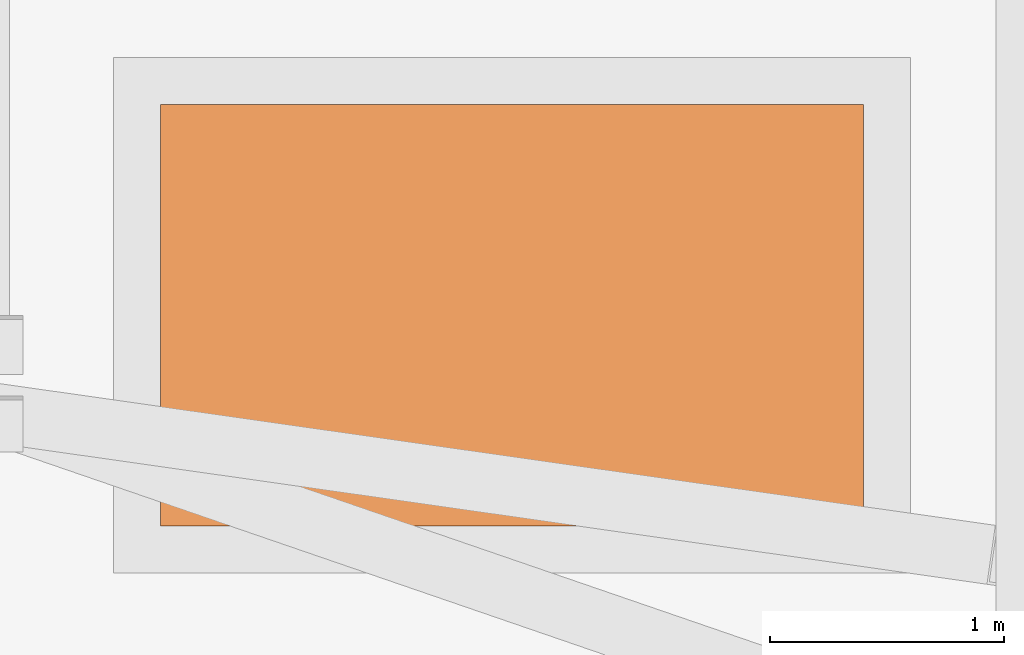
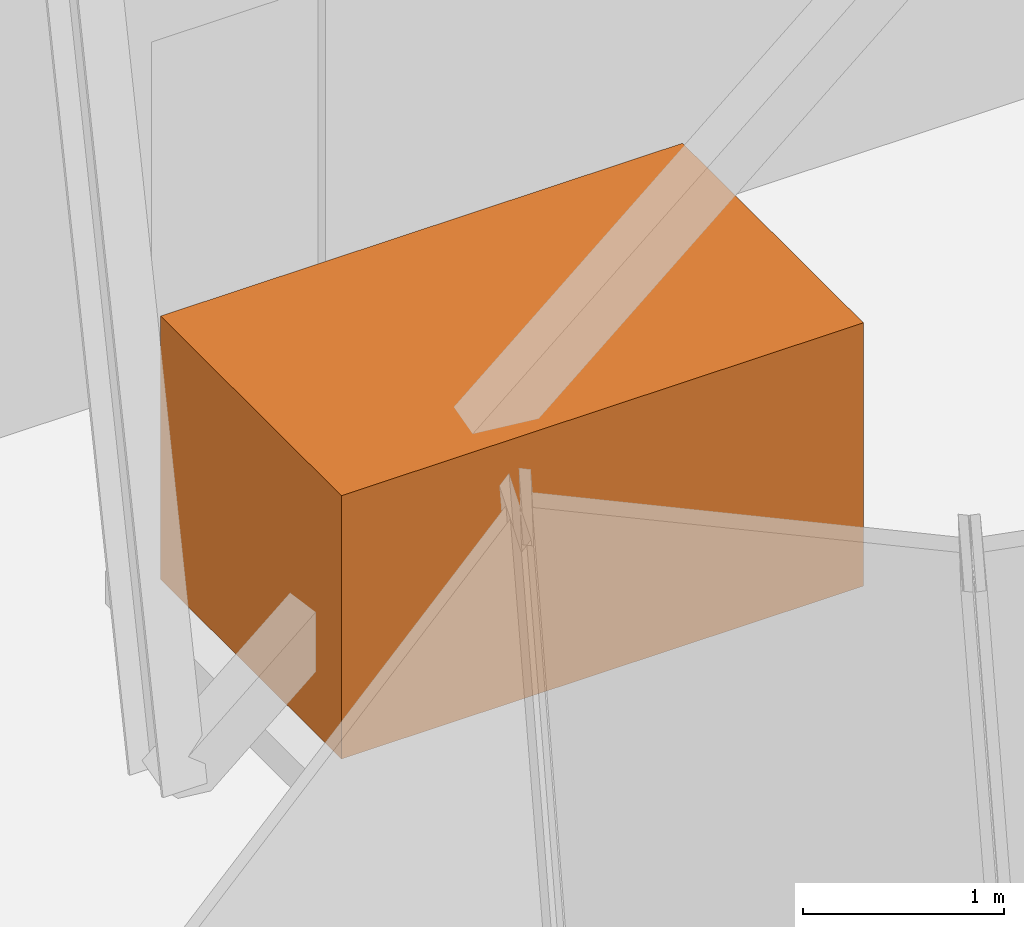
# One storey, part 6 of 6: 1 proxy.
"""IFC4 building model written with IfcOpenShell, lengths in metres."""

import ifcopenshell
import ifcopenshell.guid

model = None  # the IFC model being written
_history = None  # IfcOwnerHistory: only IFC2X3 demands one
_inside = {}  # id of a spatial element -> (the spatial element, [elements in it])
_under = {}  # id of a project, library or spatial element -> (it, [spatial elements below it])
_declared = {}  # id of a project -> (the project, [libraries it declares])
_typed = {}  # id of a type object -> (the type object, [elements of that type])
_made_of = {}  # id of a material, layer set ... -> (it, [elements and type objects made of it])


def new_model(schema):
    """Start an empty IFC model of exactly this schema.

    Asked for "IFC4X3", IfcOpenShell would pick the latest addendum, in which some entities
    have other attributes; the version numbers below select the first issue.
    IFC2X3 requires an IfcOwnerHistory on every rooted entity: one is made here for all.
    """
    global model, _history
    if schema == "IFC4X3":
        model = ifcopenshell.file(schema_version=(4, 3, 0, 0))
    else:
        model = ifcopenshell.file(schema=schema)
    _inside.clear()
    _under.clear()
    _declared.clear()
    _typed.clear()
    _made_of.clear()
    _history = None
    if model.schema == "IFC2X3":
        org = make("IfcOrganization", Name="unknown")
        user = make(
            "IfcPersonAndOrganization",
            ThePerson=make("IfcPerson", FamilyName="unknown"),
            TheOrganization=org,
        )
        app = make(
            "IfcApplication",
            ApplicationDeveloper=org,
            Version="unknown",
            ApplicationFullName="unknown",
            ApplicationIdentifier="unknown",
        )
        _history = make(
            "IfcOwnerHistory",
            OwningUser=user,
            OwningApplication=app,
            ChangeAction="ADDED",
            CreationDate=0,
        )
    return model


def make(cls, **values):
    """One entity of the class cls with the attributes given. An attribute that is None is left unset."""
    return model.create_entity(
        cls, **{name: value for name, value in values.items() if value is not None}
    )


def rooted(cls, **values):
    """An entity with a GlobalId (a new one), such as an element, a storey or a relation."""
    return make(cls, GlobalId=ifcopenshell.guid.new(), OwnerHistory=_history, **values)


def si_unit(unit_type, name, prefix=None):
    """IfcSIUnit, for example si_unit("LENGTHUNIT", "METRE", prefix="MILLI")."""
    return make("IfcSIUnit", UnitType=unit_type, Prefix=prefix, Name=name)


def assignment(units):
    """IfcUnitAssignment: the units of a project."""
    return None if units is None else make("IfcUnitAssignment", Units=units)


def point(xyz):
    """IfcCartesianPoint."""
    return None if xyz is None else make("IfcCartesianPoint", Coordinates=xyz)


def direction(xyz):
    """IfcDirection."""
    return None if xyz is None else make("IfcDirection", DirectionRatios=xyz)


def frame(location, z_axis=None, x_axis=None):
    """IfcAxis2Placement3D, a coordinate frame: its origin and axes. An axis left out is left unset."""
    return make(
        "IfcAxis2Placement3D",
        Location=point(location),
        Axis=direction(z_axis),
        RefDirection=direction(x_axis),
    )


def frame_2d(location, x_axis=None):
    """IfcAxis2Placement2D, a coordinate frame in the plane: its origin and x axis."""
    return make(
        "IfcAxis2Placement2D", Location=point(location), RefDirection=direction(x_axis)
    )


def origin():
    """The frame at (0, 0, 0) with its axes left unset."""
    return frame((0.0, 0.0, 0.0))


def origin_2d():
    """The frame at (0, 0) in the plane with its x axis left unset."""
    return frame_2d((0.0, 0.0))


def place(relative_to, where):
    """IfcLocalPlacement: puts the frame where relative to a parent placement (None: the world)."""
    return make(
        "IfcLocalPlacement", PlacementRelTo=relative_to, RelativePlacement=where
    )


def context(
    kind, dimensions, precision=None, world=None, true_north=None, identifier=None
):
    """IfcGeometricRepresentationContext, for example the 3D "Model" context."""
    return make(
        "IfcGeometricRepresentationContext",
        ContextIdentifier=identifier,
        ContextType=kind,
        CoordinateSpaceDimension=dimensions,
        Precision=precision,
        WorldCoordinateSystem=world,
        TrueNorth=true_north,
    )


def subcontext(parent, identifier, kind, view, scale=None):
    """IfcGeometricRepresentationSubContext, for example "Body" below "Model"."""
    return make(
        "IfcGeometricRepresentationSubContext",
        ContextIdentifier=identifier,
        ContextType=kind,
        ParentContext=parent,
        TargetScale=scale,
        TargetView=view,
    )


def project(units=None, contexts=None):
    """IfcProject with its units and contexts."""
    return rooted(
        "IfcProject",
        Name="project",
        RepresentationContexts=contexts,
        UnitsInContext=assignment(units),
    )


def spatial(cls, under=None, at=None, **own):
    """A site, building, storey or space (cls), placed at a placement, below another one or the project."""
    s = rooted(cls, ObjectPlacement=at, **own)
    if under is not None:
        _under.setdefault(under.id(), (under, []))[1].append(s)
    return s


def profile(cls, at=None, kind="AREA", **sizes):
    """A parametric profile (cls). Its sizes go by their IFC names, for example OverallWidth=200.0."""
    return make(cls, ProfileType=kind, Position=at, **sizes)


def rectangle(**sizes):
    """IfcRectangleProfileDef."""
    return profile("IfcRectangleProfileDef", **sizes)


def extrude(swept, where, along, depth):
    """IfcExtrudedAreaSolid: the profile swept, set in the frame where, extruded along a direction by depth."""
    return make(
        "IfcExtrudedAreaSolid",
        SweptArea=swept,
        Position=where,
        ExtrudedDirection=direction(along),
        Depth=depth,
    )


def shape(context_of_items, identifier, shape_type, items):
    """IfcShapeRepresentation: the items that make up one representation, for example the "Body"."""
    return make(
        "IfcShapeRepresentation",
        ContextOfItems=context_of_items,
        RepresentationIdentifier=identifier,
        RepresentationType=shape_type,
        Items=items,
    )


def made_of(thing, what):
    """Note that an element or type object is made of a material, layer set ...; save() writes the relation."""
    if what is not None:
        _made_of.setdefault(what.id(), (what, []))[1].append(thing)
    return thing


def element(
    cls,
    number,
    at=None,
    inside=None,
    cuts=None,
    type_object=None,
    material=None,
    context=None,
    identifier="Body",
    shape_type=None,
    held_by="IfcProductDefinitionShape",
    body=None,
    shapes=None,
    **own,
):
    """One element of the class cls, such as IfcWall. Its Tag is "e" and its number.

    at: its placement. inside: the storey or other place that contains it. cuts: it is an
    opening in that element (IfcRelVoidsElement). A single representation is given by context,
    identifier, shape_type and body (its items); several are given by shapes. held_by: the class
    of the entity that holds the representations. save() writes the other relations.
    """
    e = rooted(cls, Tag="e%d" % number, ObjectPlacement=at, **own)
    if body is not None:
        shapes = [shape(context, identifier, shape_type, body)]
    if shapes is not None:
        e.Representation = make(held_by, Representations=shapes)
    if inside is not None:
        _inside.setdefault(inside.id(), (inside, []))[1].append(e)
    if cuts is not None:
        rooted(
            "IfcRelVoidsElement", RelatingBuildingElement=cuts, RelatedOpeningElement=e
        )
    if type_object is not None:
        _typed.setdefault(type_object.id(), (type_object, []))[1].append(e)
    return made_of(e, material)


def aggregate(whole, parts):
    """IfcRelAggregates: a whole, such as a stair, and the parts it consists of."""
    return rooted("IfcRelAggregates", RelatingObject=whole, RelatedObjects=parts)


def save(model, path):
    """Write the relations noted so far, then the file.

    IfcRelAggregates (storeys below a building ...), IfcRelContainedInSpatialStructure (elements
    in a storey), IfcRelDefinesByType, IfcRelAssociatesMaterial and IfcRelDeclares: one each for
    every whole, place, type object, material and project.
    """
    for whole, parts in _under.values():
        aggregate(whole, parts)
    for where, things in _inside.values():
        rooted(
            "IfcRelContainedInSpatialStructure",
            RelatedElements=things,
            RelatingStructure=where,
        )
    for kind, things in _typed.values():
        rooted("IfcRelDefinesByType", RelatedObjects=things, RelatingType=kind)
    for what, things in _made_of.values():
        rooted("IfcRelAssociatesMaterial", RelatedObjects=things, RelatingMaterial=what)
    for by, libraries in _declared.values():
        rooted("IfcRelDeclares", RelatingContext=by, RelatedDefinitions=libraries)
    model.write(path)


model = new_model("IFC4")

# Units and contexts
model_context = context("Model", 3, precision=1e-05, world=origin(), true_north=direction((0.0, 1.0)))
body_context = subcontext(model_context, "Body", "Model", "MODEL_VIEW")
ifc_project = project(units=[si_unit("LENGTHUNIT", "METRE"), si_unit("AREAUNIT", "SQUARE_METRE"), si_unit("VOLUMEUNIT", "CUBIC_METRE"), si_unit("PLANEANGLEUNIT", "RADIAN"), si_unit("MASSUNIT", "GRAM", prefix="KILO")], contexts=[model_context])

# Site, building, storey
site_placement = place(None, origin())
site = spatial("IfcSite", under=ifc_project, at=site_placement, CompositionType="ELEMENT")
building_placement = place(site_placement, origin())
building = spatial("IfcBuilding", under=site, at=building_placement, Name="Bicima Exchange Tower", CompositionType="ELEMENT")
storey_placement = place(building_placement, frame((0.0, 0.0, 365.89990234375)))
storey = spatial("IfcBuildingStorey", under=building, at=storey_placement, Name="L82", CompositionType="ELEMENT", Elevation=365.89990234375)

# Proxy
proxy_placement = place(storey_placement, frame((-15.18505859375, -18.110107421875, 0.199951171875), z_axis=(0.0, 0.0, 1.0), x_axis=(1.0, 0.0, 0.0)))
element("IfcBuildingElementProxy", 1, at=proxy_placement, inside=storey, Name="Pump set L82", ObjectType="Pump set", PredefinedType="USERDEFINED", context=body_context, shape_type="SweptSolid", body=[
    extrude(rectangle(XDim=3.0, YDim=1.800048828125, at=origin_2d()), origin(), (0.0, 0.0, 1.0), 1.60009765625),
])

save(model, "model.ifc")
